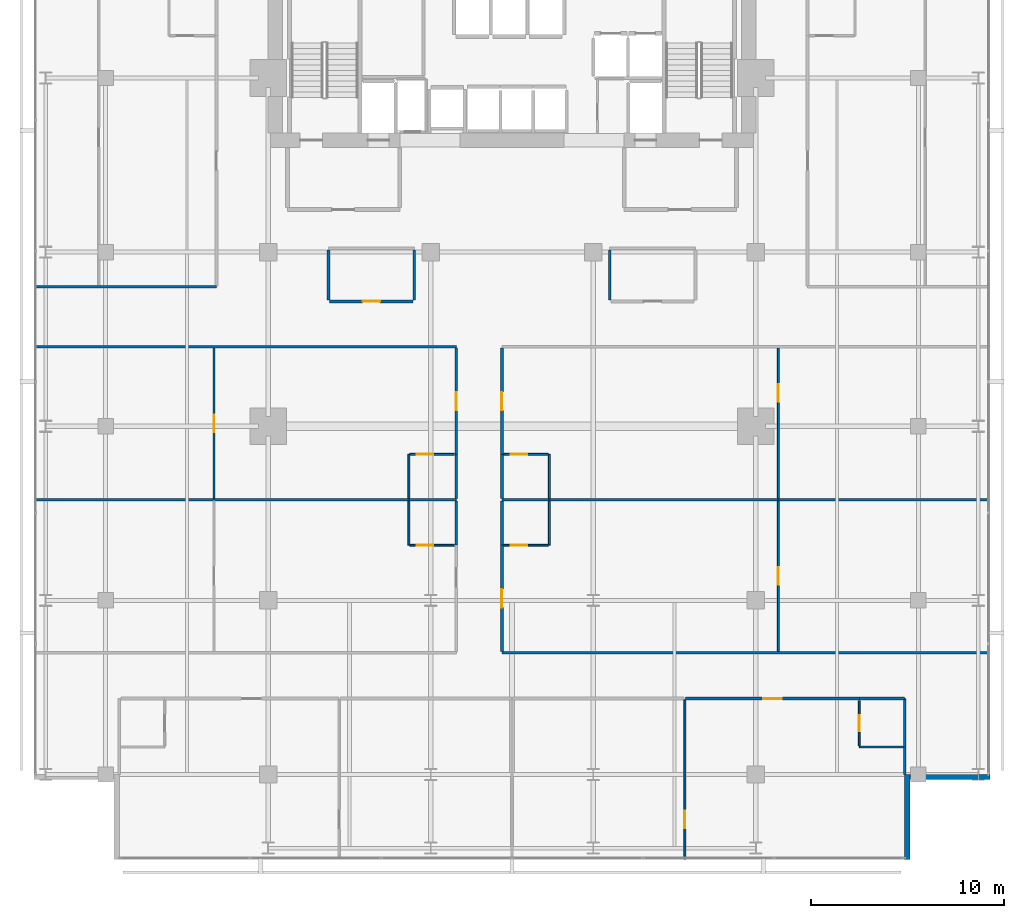
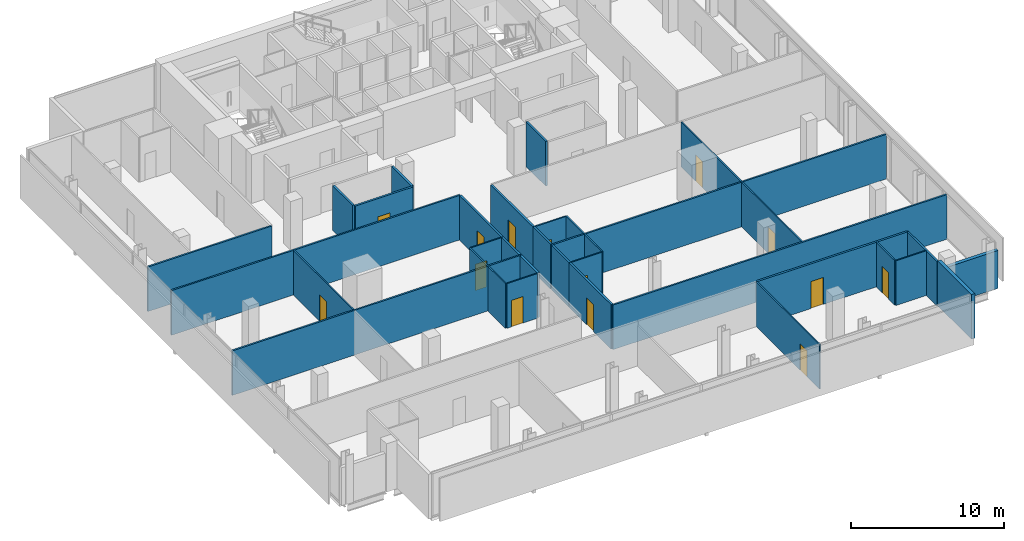
# One storey, part 27 of 32: 35 walls, 14 doors, 14 openings.
"""IFC4 building model written with IfcOpenShell, lengths in metres."""

from ifc_helpers import new_model, si_unit, direction, frame, frame_2d, origin, place, context, subcontext, project, spatial, rectangle, extrude, material, layer, layer_set, type_object, element, fill, save


model = new_model("IFC4")

# Units and contexts
model_context = context("Model", 3, precision=1e-05, world=origin(), true_north=direction((0.0, 1.0)))
body_context = subcontext(model_context, "Body", "Model", "MODEL_VIEW")
ifc_project = project(units=[si_unit("LENGTHUNIT", "METRE"), si_unit("AREAUNIT", "SQUARE_METRE"), si_unit("VOLUMEUNIT", "CUBIC_METRE"), si_unit("PLANEANGLEUNIT", "RADIAN"), si_unit("MASSUNIT", "GRAM", prefix="KILO")], contexts=[model_context])

# Site, building, storey
site_placement = place(None, origin())
site = spatial("IfcSite", under=ifc_project, at=site_placement, CompositionType="ELEMENT")
building_placement = place(site_placement, origin())
building = spatial("IfcBuilding", under=site, at=building_placement, Name="Maruvema Waterfront Hotel and Observation Tower", CompositionType="ELEMENT")
storey_placement = place(building_placement, frame((0.0, 0.0, 223.64990234375)))
storey = spatial("IfcBuildingStorey", under=building, at=storey_placement, Name="L55", CompositionType="ELEMENT", Elevation=223.64990234375)

# Walls
ifc_material_1 = material(Name="Twin-stud acoustic gypsum drywall", Category="gypsum")
ifc_layer_1 = layer(ifc_material_1, 0.14990234375, Name="Acoustic Corridor and Suite Demising Wall 150 mm")
ifc_layer_set_1 = layer_set([ifc_layer_1], Name="Twin-stud acoustic gypsum drywall")
wall_type_1 = type_object("IfcWallType", Name="Acoustic Corridor and Suite Demising Wall 150 mm", PredefinedType="PARTITIONING", material=ifc_layer_set_1)
for number, where, z_axis, x_axis, name in (
    (1, (28.320068359375, 33.530029296875, 0.0), (0.0, 0.0, 1.0), (0.0, 1.0, 0.0), "L55 L55-M1 West Wall 018"),
    (2, (32.75, 33.530029296875, 0.0), (0.0, 0.0, 1.0), (0.0, 1.0, 0.0), "L55 L55-M1 East Wall 019"),
):
    element("IfcWall", number, at=place(storey_placement, frame(where, z_axis=z_axis, x_axis=x_axis)), inside=storey, type_object=wall_type_1, Name=name, PredefinedType="PARTITIONING", context=body_context, shape_type="SweptSolid", body=[
        extrude(rectangle(XDim=2.590087890625, YDim=0.14990234375, at=frame_2d((1.294921875, 0.0))), origin(), (0.0, 0.0, 1.0), 3.550048828125),
    ])

# Wall, opening, door
wall_1_placement = place(storey_placement, frame((28.3798828125, 33.449951171875, 0.0), z_axis=(0.0, 0.0, 1.0), x_axis=(1.0, 0.0, 0.0)))
wall_1 = element("IfcWall", 3, at=wall_1_placement, inside=storey, type_object=wall_type_1, Name="L55 L55-M1 Front 1 020", PredefinedType="PARTITIONING", context=body_context, shape_type="SweptSolid", body=[
    extrude(rectangle(XDim=4.31005859375, YDim=0.14990234375, at=frame_2d((2.155029296875, 0.0))), origin(), (0.0, 0.0, 1.0), 3.550048828125),
])
opening_1_placement = place(wall_1_placement, frame((1.705078125, 0.0, 0.0)))
opening_1 = element("IfcOpeningElement", 4, at=opening_1_placement, cuts=wall_1, Name="Opening DR-090", PredefinedType="OPENING", context=body_context, shape_type="SweptSolid", body=[
    extrude(rectangle(XDim=0.89990234375, YDim=2.10009765625, at=frame_2d((0.449951171875, 1.050048828125))), frame((0.0, 0.0849609375, 0.0), z_axis=(0.0, -1.0, 0.0), x_axis=(1.0, 0.0, 0.0)), (0.0, 0.0, 1.0), 0.169921875),
])
ifc_material_2 = material(Name="Solid-core lacquered timber leaf", Category="wood")
door_type_1 = type_object("IfcDoorType", Name="Accessible Toilet and Room Door 900x2100 mm", OperationType="NOTDEFINED", PredefinedType="DOOR", material=ifc_material_2)
door_1_placement = place(opening_1_placement, frame((0.89990234375, 0.0, 0.0), z_axis=(0.0, 0.0, 1.0), x_axis=(-1.0, 0.0, 0.0)))
door_1 = element("IfcDoor", 5, at=door_1_placement, inside=storey, type_object=door_type_1, Name="L55 Ambassador Lounge 1 Door", OperationType="SINGLE_SWING_RIGHT", OverallHeight=2.10009765625, OverallWidth=0.89990234375, PredefinedType="DOOR", context=body_context, shape_type="SweptSolid", body=[
    extrude(rectangle(XDim=0.89990234375, YDim=2.10009765625, at=frame_2d((0.449951171875, 1.050048828125))), frame((0.0, 0.02490234375, 0.0), z_axis=(0.0, -1.0, 0.0), x_axis=(1.0, 0.0, 0.0)), (0.0, 0.0, 1.0), 0.050048828125),
])
fill(opening_1, door_1)

# Walls
wall_2_placement = place(storey_placement, frame((42.85009765625, 33.530029296875, 0.0), z_axis=(0.0, 0.0, 1.0), x_axis=(0.0, 1.0, 0.0)))
element("IfcWall", 6, at=wall_2_placement, inside=storey, type_object=wall_type_1, Name="L55 L55-M2 West Wall 022", PredefinedType="PARTITIONING", context=body_context, shape_type="SweptSolid", body=[
    extrude(rectangle(XDim=2.590087890625, YDim=0.14990234375, at=frame_2d((1.294921875, 0.0))), origin(), (0.0, 0.0, 1.0), 3.550048828125),
])
wall_3_placement = place(storey_placement, frame((55.75, 12.919921875, 0.0), z_axis=(0.0, 0.0, 1.0), x_axis=(1.0, 0.0, 0.0)))
element("IfcWall", 7, at=wall_3_placement, inside=storey, type_object=wall_type_1, Name="L55 Bath L55-S2 Back Wall 034", PredefinedType="PARTITIONING", context=body_context, shape_type="SweptSolid", body=[
    extrude(rectangle(XDim=2.330078125, YDim=0.14990234375, at=frame_2d((1.1650390625, 0.0))), origin(), (0.0, 0.0, 1.0), 3.550048828125),
])

# Wall, opening, door
wall_4_placement = place(storey_placement, frame((46.77197265625, 12.919921875, 0.0), z_axis=(0.0, 0.0, 1.0), x_axis=(1.0, 0.0, 0.0)))
wall_4 = element("IfcWall", 8, at=wall_4_placement, inside=storey, type_object=wall_type_1, Name="L55 Unit L55-S2 Corridor Wall 038", PredefinedType="PARTITIONING", context=body_context, shape_type="SweptSolid", body=[
    extrude(rectangle(XDim=8.97802734375, YDim=0.14990234375, at=frame_2d((4.489013671875, 0.0))), origin(), (0.0, 0.0, 1.0), 3.550048828125),
])
opening_2_placement = place(wall_4_placement, frame((4.013916015625, 0.0, 0.0)))
opening_2 = element("IfcOpeningElement", 9, at=opening_2_placement, cuts=wall_4, Name="Opening DR-095", PredefinedType="OPENING", context=body_context, shape_type="SweptSolid", body=[
    extrude(rectangle(XDim=0.949951171875, YDim=2.14990234375, at=frame_2d((0.47509765625, 1.074951171875))), frame((0.0, 0.0849609375, 0.0), z_axis=(0.0, -1.0, 0.0), x_axis=(1.0, 0.0, 0.0)), (0.0, 0.0, 1.0), 0.169921875),
])
ifc_material_3 = material(Name="Acoustic solid-core hardwood timber leaf", Category="wood")
door_type_2 = type_object("IfcDoorType", Name="Guestroom Entrance Fire Door 950x2150 mm", OperationType="NOTDEFINED", PredefinedType="DOOR", material=ifc_material_3)
door_2_placement = place(opening_2_placement, frame((0.949951171875, 0.0, 0.0), z_axis=(0.0, 0.0, 1.0), x_axis=(-1.0, 0.0, 0.0)))
door_2 = element("IfcDoor", 10, at=door_2_placement, inside=storey, type_object=door_type_2, Name="L55 Unit L55-S2 Entrance Door", OperationType="SINGLE_SWING_RIGHT", OverallHeight=2.14990234375, OverallWidth=0.949951171875, PredefinedType="DOOR", context=body_context, shape_type="SweptSolid", body=[
    extrude(rectangle(XDim=0.949951171875, YDim=2.14990234375, at=frame_2d((0.47509765625, 1.074951171875))), frame((0.0, 0.02490234375, 0.0), z_axis=(0.0, -1.0, 0.0), x_axis=(1.0, 0.0, 0.0)), (0.0, 0.0, 1.0), 0.050048828125),
])
fill(opening_2, door_2)

# Wall
wall_5_placement = place(storey_placement, frame((34.919921875, 20.85009765625, 0.0), z_axis=(0.0, 0.0, 1.0), x_axis=(0.0, 1.0, 0.0)))
element("IfcWall", 11, at=wall_5_placement, inside=storey, type_object=wall_type_1, Name="L55 Bath L55-W1 Wall 045", PredefinedType="PARTITIONING", context=body_context, shape_type="SweptSolid", body=[
    extrude(rectangle(XDim=2.289794921875, YDim=0.14990234375, at=frame_2d((1.14501953125, 0.0))), origin(), (0.0, 0.0, 1.0), 3.550048828125),
])

# Wall, opening, door
wall_6_placement = place(storey_placement, frame((37.280029296875, 15.360107421875, 0.0), z_axis=(0.0, 0.0, 1.0), x_axis=(0.0, 1.0, 0.0)))
wall_6 = element("IfcWall", 12, at=wall_6_placement, inside=storey, type_object=wall_type_1, Name="L55 Room L55-E1 Corridor Wall 049", PredefinedType="PARTITIONING", context=body_context, shape_type="SweptSolid", body=[
    extrude(rectangle(XDim=5.489990234375, YDim=0.14990234375, at=frame_2d((2.7451171875, 0.0))), origin(), (0.0, 0.0, 1.0), 3.550048828125),
])
opening_3_placement = place(wall_6_placement, frame((2.27001953125, 0.0, 0.0)))
opening_3 = element("IfcOpeningElement", 13, at=opening_3_placement, cuts=wall_6, Name="Opening DR-095", PredefinedType="OPENING", context=body_context, shape_type="SweptSolid", body=[
    extrude(rectangle(XDim=0.949951171875, YDim=2.14990234375, at=frame_2d((0.47509765625, 1.074951171875))), frame((0.0, 0.0849609375, 0.0), z_axis=(0.0, -1.0, 0.0), x_axis=(1.0, 0.0, 0.0)), (0.0, 0.0, 1.0), 0.169921875),
])
door_3_placement = place(opening_3_placement, frame((0.949951171875, 0.0, 0.0), z_axis=(0.0, 0.0, 1.0), x_axis=(-1.0, 0.0, 0.0)))
door_3 = element("IfcDoor", 14, at=door_3_placement, inside=storey, type_object=door_type_2, Name="L55 Room L55-E1 Entrance Door", OperationType="SINGLE_SWING_RIGHT", OverallHeight=2.14990234375, OverallWidth=0.949951171875, PredefinedType="DOOR", context=body_context, shape_type="SweptSolid", body=[
    extrude(rectangle(XDim=0.949951171875, YDim=2.14990234375, at=frame_2d((0.47509765625, 1.074951171875))), frame((0.0, 0.02490234375, 0.0), z_axis=(0.0, -1.0, 0.0), x_axis=(1.0, 0.0, 0.0)), (0.0, 0.0, 1.0), 0.050048828125),
])
fill(opening_3, door_3)

# Walls
wall_7_placement = place(storey_placement, frame((37.280029296875, 20.85009765625, 0.0), z_axis=(0.0, 0.0, 1.0), x_axis=(0.0, 1.0, 0.0)))
element("IfcWall", 15, at=wall_7_placement, inside=storey, type_object=wall_type_1, Name="L55 Bath L55-E1 Wall 050", PredefinedType="PARTITIONING", context=body_context, shape_type="SweptSolid", body=[
    extrude(rectangle(XDim=2.289794921875, YDim=0.14990234375, at=frame_2d((1.14501953125, 0.0))), origin(), (0.0, 0.0, 1.0), 3.550048828125),
])
wall_8_placement = place(storey_placement, frame((34.919921875, 23.260009765625, 0.0), z_axis=(0.0, 0.0, 1.0), x_axis=(0.0, 1.0, 0.0)))
element("IfcWall", 16, at=wall_8_placement, inside=storey, type_object=wall_type_1, Name="L55 Bath L55-W2 Wall 056", PredefinedType="PARTITIONING", context=body_context, shape_type="SweptSolid", body=[
    extrude(rectangle(XDim=2.2900390625, YDim=0.14990234375, at=frame_2d((1.14501953125, 0.0))), origin(), (0.0, 0.0, 1.0), 3.550048828125),
])

# Wall, opening, door
wall_9_placement = place(storey_placement, frame((34.919921875, 25.550048828125, 0.0), z_axis=(0.0, 0.0, 1.0), x_axis=(0.0, 1.0, 0.0)))
wall_9 = element("IfcWall", 17, at=wall_9_placement, inside=storey, type_object=wall_type_1, Name="L55 Room L55-W2 Corridor Wall 057", PredefinedType="PARTITIONING", context=body_context, shape_type="SweptSolid", body=[
    extrude(rectangle(XDim=5.489990234375, YDim=0.14990234375, at=frame_2d((2.7451171875, 0.0))), origin(), (0.0, 0.0, 1.0), 3.550048828125),
])
opening_4_placement = place(wall_9_placement, frame((2.27001953125, 0.0, 0.0)))
opening_4 = element("IfcOpeningElement", 18, at=opening_4_placement, cuts=wall_9, Name="Opening DR-095", PredefinedType="OPENING", context=body_context, shape_type="SweptSolid", body=[
    extrude(rectangle(XDim=0.949951171875, YDim=2.14990234375, at=frame_2d((0.47509765625, 1.074951171875))), frame((0.0, 0.0849609375, 0.0), z_axis=(0.0, -1.0, 0.0), x_axis=(1.0, 0.0, 0.0)), (0.0, 0.0, 1.0), 0.169921875),
])
door_4_placement = place(opening_4_placement, origin())
door_4 = element("IfcDoor", 19, at=door_4_placement, inside=storey, type_object=door_type_2, Name="L55 Room L55-W2 Entrance Door", OperationType="SINGLE_SWING_LEFT", OverallHeight=2.14990234375, OverallWidth=0.949951171875, PredefinedType="DOOR", context=body_context, shape_type="SweptSolid", body=[
    extrude(rectangle(XDim=0.949951171875, YDim=2.14990234375, at=frame_2d((0.47509765625, 1.074951171875))), frame((0.0, 0.02490234375, 0.0), z_axis=(0.0, -1.0, 0.0), x_axis=(1.0, 0.0, 0.0)), (0.0, 0.0, 1.0), 0.050048828125),
])
fill(opening_4, door_4)

# Wall
wall_10_placement = place(storey_placement, frame((37.280029296875, 23.260009765625, 0.0), z_axis=(0.0, 0.0, 1.0), x_axis=(0.0, 1.0, 0.0)))
element("IfcWall", 20, at=wall_10_placement, inside=storey, type_object=wall_type_1, Name="L55 Bath L55-E2 Wall 061", PredefinedType="PARTITIONING", context=body_context, shape_type="SweptSolid", body=[
    extrude(rectangle(XDim=2.2900390625, YDim=0.14990234375, at=frame_2d((1.14501953125, 0.0))), origin(), (0.0, 0.0, 1.0), 3.550048828125),
])

# Wall, opening, door
wall_11_placement = place(storey_placement, frame((37.280029296875, 25.550048828125, 0.0), z_axis=(0.0, 0.0, 1.0), x_axis=(0.0, 1.0, 0.0)))
wall_11 = element("IfcWall", 21, at=wall_11_placement, inside=storey, type_object=wall_type_1, Name="L55 Room L55-E2 Corridor Wall 062", PredefinedType="PARTITIONING", context=body_context, shape_type="SweptSolid", body=[
    extrude(rectangle(XDim=5.489990234375, YDim=0.14990234375, at=frame_2d((2.7451171875, 0.0))), origin(), (0.0, 0.0, 1.0), 3.550048828125),
])
opening_5_placement = place(wall_11_placement, frame((2.27001953125, 0.0, 0.0)))
opening_5 = element("IfcOpeningElement", 22, at=opening_5_placement, cuts=wall_11, Name="Opening DR-095", PredefinedType="OPENING", context=body_context, shape_type="SweptSolid", body=[
    extrude(rectangle(XDim=0.949951171875, YDim=2.14990234375, at=frame_2d((0.47509765625, 1.074951171875))), frame((0.0, 0.0849609375, 0.0), z_axis=(0.0, -1.0, 0.0), x_axis=(1.0, 0.0, 0.0)), (0.0, 0.0, 1.0), 0.169921875),
])
door_5_placement = place(opening_5_placement, frame((0.949951171875, 0.0, 0.0), z_axis=(0.0, 0.0, 1.0), x_axis=(-1.0, 0.0, 0.0)))
door_5 = element("IfcDoor", 23, at=door_5_placement, inside=storey, type_object=door_type_2, Name="L55 Room L55-E2 Entrance Door", OperationType="SINGLE_SWING_RIGHT", OverallHeight=2.14990234375, OverallWidth=0.949951171875, PredefinedType="DOOR", context=body_context, shape_type="SweptSolid", body=[
    extrude(rectangle(XDim=0.949951171875, YDim=2.14990234375, at=frame_2d((0.47509765625, 1.074951171875))), frame((0.0, 0.02490234375, 0.0), z_axis=(0.0, -1.0, 0.0), x_axis=(1.0, 0.0, 0.0)), (0.0, 0.0, 1.0), 0.050048828125),
])
fill(opening_5, door_5)

# Wall
ifc_material_4 = material(Name="Moisture-resistant cement-board drywall", Category="gypsum")
ifc_layer_2 = layer(ifc_material_4, 0.10009765625, Name="En-Suite Moisture-Resistant Partition 100 mm")
ifc_layer_set_2 = layer_set([ifc_layer_2], Name="Moisture-resistant cement-board drywall")
wall_type_2 = type_object("IfcWallType", Name="En-Suite Moisture-Resistant Partition 100 mm", PredefinedType="PARTITIONING", material=ifc_layer_set_2)
wall_12_placement = place(storey_placement, frame((55.75, 10.419921875, 0.0), z_axis=(0.0, 0.0, 1.0), x_axis=(1.0, 0.0, 0.0)))
element("IfcWall", 24, at=wall_12_placement, inside=storey, type_object=wall_type_2, Name="L55 En-Suite L55-S2 South 035", PredefinedType="PARTITIONING", context=body_context, shape_type="SweptSolid", body=[
    extrude(rectangle(XDim=2.31005859375, YDim=0.10009765625, at=frame_2d((1.155029296875, 0.0))), origin(), (0.0, 0.0, 1.0), 3.550048828125),
])

# Wall, opening, door
wall_13_placement = place(storey_placement, frame((55.75, 10.47998046875, 0.0), z_axis=(0.0, 0.0, 1.0), x_axis=(0.0, 1.0, 0.0)))
wall_13 = element("IfcWall", 25, at=wall_13_placement, inside=storey, type_object=wall_type_2, Name="L55 En-Suite L55-S2 West 036", PredefinedType="PARTITIONING", context=body_context, shape_type="SweptSolid", body=[
    extrude(rectangle(XDim=2.340087890625, YDim=0.10009765625, at=frame_2d((1.169921875, 0.0))), origin(), (0.0, 0.0, 1.0), 3.550048828125),
])
opening_6_placement = place(wall_13_placement, frame((0.7451171875, 0.0, 0.0)))
opening_6 = element("IfcOpeningElement", 26, at=opening_6_placement, cuts=wall_13, Name="Opening DR-085", PredefinedType="OPENING", context=body_context, shape_type="SweptSolid", body=[
    extrude(rectangle(XDim=0.85009765625, YDim=2.10009765625, at=frame_2d((0.425048828125, 1.050048828125))), frame((0.0, 0.06005859375, 0.0), z_axis=(0.0, -1.0, 0.0), x_axis=(1.0, 0.0, 0.0)), (0.0, 0.0, 1.0), 0.1201171875),
])
ifc_material_5 = material(Name="Moisture-resistant solid timber leaf", Category="wood")
door_type_3 = type_object("IfcDoorType", Name="En-Suite Bathroom Door 850x2100 mm", OperationType="NOTDEFINED", PredefinedType="DOOR", material=ifc_material_5)
door_6_placement = place(opening_6_placement, origin())
door_6 = element("IfcDoor", 27, at=door_6_placement, inside=storey, type_object=door_type_3, Name="L55 En-Suite L55-S2 Door", OperationType="SINGLE_SWING_LEFT", OverallHeight=2.10009765625, OverallWidth=0.85009765625, PredefinedType="DOOR", context=body_context, shape_type="SweptSolid", body=[
    extrude(rectangle(XDim=0.85009765625, YDim=2.10009765625, at=frame_2d((0.425048828125, 1.050048828125))), frame((0.0, 0.02490234375, 0.0), z_axis=(0.0, -1.0, 0.0), x_axis=(1.0, 0.0, 0.0)), (0.0, 0.0, 1.0), 0.050048828125),
])
fill(opening_6, door_6)

wall_14_placement = place(storey_placement, frame((46.73193359375, 4.6298828125, 0.0), z_axis=(0.0, 0.0, 1.0), x_axis=(0.0, 1.0, 0.0)))
wall_14 = element("IfcWall", 28, at=wall_14_placement, inside=storey, type_object=wall_type_2, Name="L55 Suite L55-S2 Split 039", PredefinedType="PARTITIONING", context=body_context, shape_type="SweptSolid", body=[
    extrude(rectangle(XDim=8.230224609375, YDim=0.10009765625, at=frame_2d((4.115234375, 0.0))), origin(), (0.0, 0.0, 1.0), 3.550048828125),
])
opening_7_placement = place(wall_14_placement, frame((1.60009765625, 0.0, 0.0)))
opening_7 = element("IfcOpeningElement", 29, at=opening_7_placement, cuts=wall_14, Name="Opening DR-090", PredefinedType="OPENING", context=body_context, shape_type="SweptSolid", body=[
    extrude(rectangle(XDim=0.89990234375, YDim=2.10009765625, at=frame_2d((0.449951171875, 1.050048828125))), frame((0.0, 0.06005859375, 0.0), z_axis=(0.0, -1.0, 0.0), x_axis=(1.0, 0.0, 0.0)), (0.0, 0.0, 1.0), 0.1201171875),
])
door_7_placement = place(opening_7_placement, frame((0.89990234375, 0.0, 0.0), z_axis=(0.0, 0.0, 1.0), x_axis=(-1.0, 0.0, 0.0)))
door_7 = element("IfcDoor", 30, at=door_7_placement, inside=storey, type_object=door_type_1, Name="L55 Suite L55-S2 Bedroom Door", OperationType="SINGLE_SWING_LEFT", OverallHeight=2.10009765625, OverallWidth=0.89990234375, PredefinedType="DOOR", context=body_context, shape_type="SweptSolid", body=[
    extrude(rectangle(XDim=0.89990234375, YDim=2.10009765625, at=frame_2d((0.449951171875, 1.050048828125))), frame((0.0, 0.02490234375, 0.0), z_axis=(0.0, -1.0, 0.0), x_axis=(1.0, 0.0, 0.0)), (0.0, 0.0, 1.0), 0.050048828125),
])
fill(opening_7, door_7)

# Wall
wall_15_placement = place(storey_placement, frame((32.469970703125, 20.85009765625, 0.0), z_axis=(0.0, 0.0, 1.0), x_axis=(0.0, 1.0, 0.0)))
element("IfcWall", 31, at=wall_15_placement, inside=storey, type_object=wall_type_2, Name="L55 En-Suite L55-W1 W 046", PredefinedType="PARTITIONING", context=body_context, shape_type="SweptSolid", body=[
    extrude(rectangle(XDim=2.289794921875, YDim=0.10009765625, at=frame_2d((1.14501953125, 0.0))), origin(), (0.0, 0.0, 1.0), 3.550048828125),
])

# Wall, opening, door
wall_16_placement = place(storey_placement, frame((32.52001953125, 20.85009765625, 0.0), z_axis=(0.0, 0.0, 1.0), x_axis=(1.0, 0.0, 0.0)))
wall_16 = element("IfcWall", 32, at=wall_16_placement, inside=storey, type_object=wall_type_2, Name="L55 En-Suite L55-W1 S 047", PredefinedType="PARTITIONING", context=body_context, shape_type="SweptSolid", body=[
    extrude(rectangle(XDim=2.300048828125, YDim=0.10009765625, at=frame_2d((1.14990234375, 0.0))), origin(), (0.0, 0.0, 1.0), 3.550048828125),
])
opening_8_placement = place(wall_16_placement, frame((0.35009765625, 0.0, 0.0)))
opening_8 = element("IfcOpeningElement", 33, at=opening_8_placement, cuts=wall_16, Name="Opening DR-085", PredefinedType="OPENING", context=body_context, shape_type="SweptSolid", body=[
    extrude(rectangle(XDim=0.85009765625, YDim=2.10009765625, at=frame_2d((0.425048828125, 1.050048828125))), frame((0.0, 0.06005859375, 0.0), z_axis=(0.0, -1.0, 0.0), x_axis=(1.0, 0.0, 0.0)), (0.0, 0.0, 1.0), 0.1201171875),
])
door_8_placement = place(opening_8_placement, frame((0.85009765625, 0.0, 0.0), z_axis=(0.0, 0.0, 1.0), x_axis=(-1.0, 0.0, 0.0)))
door_8 = element("IfcDoor", 34, at=door_8_placement, inside=storey, type_object=door_type_3, Name="L55 En-Suite L55-W1 Door", OperationType="SINGLE_SWING_RIGHT", OverallHeight=2.10009765625, OverallWidth=0.85009765625, PredefinedType="DOOR", context=body_context, shape_type="SweptSolid", body=[
    extrude(rectangle(XDim=0.85009765625, YDim=2.10009765625, at=frame_2d((0.425048828125, 1.050048828125))), frame((0.0, 0.02490234375, 0.0), z_axis=(0.0, -1.0, 0.0), x_axis=(1.0, 0.0, 0.0)), (0.0, 0.0, 1.0), 0.050048828125),
])
fill(opening_8, door_8)

# Wall
wall_17_placement = place(storey_placement, frame((39.72998046875, 20.85009765625, 0.0), z_axis=(0.0, 0.0, 1.0), x_axis=(0.0, 1.0, 0.0)))
element("IfcWall", 35, at=wall_17_placement, inside=storey, type_object=wall_type_2, Name="L55 En-Suite L55-E1 E 051", PredefinedType="PARTITIONING", context=body_context, shape_type="SweptSolid", body=[
    extrude(rectangle(XDim=2.289794921875, YDim=0.10009765625, at=frame_2d((1.14501953125, 0.0))), origin(), (0.0, 0.0, 1.0), 3.550048828125),
])

# Wall, opening, door
wall_18_placement = place(storey_placement, frame((37.3798828125, 20.85009765625, 0.0), z_axis=(0.0, 0.0, 1.0), x_axis=(1.0, 0.0, 0.0)))
wall_18 = element("IfcWall", 36, at=wall_18_placement, inside=storey, type_object=wall_type_2, Name="L55 En-Suite L55-E1 S 052", PredefinedType="PARTITIONING", context=body_context, shape_type="SweptSolid", body=[
    extrude(rectangle(XDim=2.300048828125, YDim=0.10009765625, at=frame_2d((1.14990234375, 0.0))), origin(), (0.0, 0.0, 1.0), 3.550048828125),
])
opening_9_placement = place(wall_18_placement, frame((0.35009765625, 0.0, 0.0)))
opening_9 = element("IfcOpeningElement", 37, at=opening_9_placement, cuts=wall_18, Name="Opening DR-085", PredefinedType="OPENING", context=body_context, shape_type="SweptSolid", body=[
    extrude(rectangle(XDim=0.85009765625, YDim=2.10009765625, at=frame_2d((0.425048828125, 1.050048828125))), frame((0.0, 0.06005859375, 0.0), z_axis=(0.0, -1.0, 0.0), x_axis=(1.0, 0.0, 0.0)), (0.0, 0.0, 1.0), 0.1201171875),
])
door_9_placement = place(opening_9_placement, frame((0.85009765625, 0.0, 0.0), z_axis=(0.0, 0.0, 1.0), x_axis=(-1.0, 0.0, 0.0)))
door_9 = element("IfcDoor", 38, at=door_9_placement, inside=storey, type_object=door_type_3, Name="L55 En-Suite L55-E1 Door", OperationType="SINGLE_SWING_LEFT", OverallHeight=2.10009765625, OverallWidth=0.85009765625, PredefinedType="DOOR", context=body_context, shape_type="SweptSolid", body=[
    extrude(rectangle(XDim=0.85009765625, YDim=2.10009765625, at=frame_2d((0.425048828125, 1.050048828125))), frame((0.0, 0.02490234375, 0.0), z_axis=(0.0, -1.0, 0.0), x_axis=(1.0, 0.0, 0.0)), (0.0, 0.0, 1.0), 0.050048828125),
])
fill(opening_9, door_9)

wall_19_placement = place(storey_placement, frame((51.5703125, 15.360107421875, 0.0), z_axis=(0.0, 0.0, 1.0), x_axis=(0.0, 1.0, 0.0)))
wall_19 = element("IfcWall", 39, at=wall_19_placement, inside=storey, type_object=wall_type_2, Name="L55 Suite L55-E1 Split 053", PredefinedType="PARTITIONING", context=body_context, shape_type="SweptSolid", body=[
    extrude(rectangle(XDim=7.77978515625, YDim=0.10009765625, at=frame_2d((3.889892578125, 0.0))), origin(), (0.0, 0.0, 1.0), 3.550048828125),
])
opening_10_placement = place(wall_19_placement, frame((3.43994140625, 0.0, 0.0)))
opening_10 = element("IfcOpeningElement", 40, at=opening_10_placement, cuts=wall_19, Name="Opening DR-090", PredefinedType="OPENING", context=body_context, shape_type="SweptSolid", body=[
    extrude(rectangle(XDim=0.89990234375, YDim=2.10009765625, at=frame_2d((0.449951171875, 1.050048828125))), frame((0.0, 0.06005859375, 0.0), z_axis=(0.0, -1.0, 0.0), x_axis=(1.0, 0.0, 0.0)), (0.0, 0.0, 1.0), 0.1201171875),
])
door_10_placement = place(opening_10_placement, frame((0.89990234375, 0.0, 0.0), z_axis=(0.0, 0.0, 1.0), x_axis=(-1.0, 0.0, 0.0)))
door_10 = element("IfcDoor", 41, at=door_10_placement, inside=storey, type_object=door_type_1, Name="L55 Suite L55-E1 Bedroom Door", OperationType="SINGLE_SWING_LEFT", OverallHeight=2.10009765625, OverallWidth=0.89990234375, PredefinedType="DOOR", context=body_context, shape_type="SweptSolid", body=[
    extrude(rectangle(XDim=0.89990234375, YDim=2.10009765625, at=frame_2d((0.449951171875, 1.050048828125))), frame((0.0, 0.02490234375, 0.0), z_axis=(0.0, -1.0, 0.0), x_axis=(1.0, 0.0, 0.0)), (0.0, 0.0, 1.0), 0.050048828125),
])
fill(opening_10, door_10)

# Wall
wall_20_placement = place(storey_placement, frame((32.469970703125, 23.260009765625, 0.0), z_axis=(0.0, 0.0, 1.0), x_axis=(0.0, 1.0, 0.0)))
element("IfcWall", 42, at=wall_20_placement, inside=storey, type_object=wall_type_2, Name="L55 En-Suite L55-W2 W 058", PredefinedType="PARTITIONING", context=body_context, shape_type="SweptSolid", body=[
    extrude(rectangle(XDim=2.2900390625, YDim=0.10009765625, at=frame_2d((1.14501953125, 0.0))), origin(), (0.0, 0.0, 1.0), 3.550048828125),
])

# Wall, opening, door
wall_21_placement = place(storey_placement, frame((32.52001953125, 25.550048828125, 0.0), z_axis=(0.0, 0.0, 1.0), x_axis=(1.0, 0.0, 0.0)))
wall_21 = element("IfcWall", 43, at=wall_21_placement, inside=storey, type_object=wall_type_2, Name="L55 En-Suite L55-W2 N 059", PredefinedType="PARTITIONING", context=body_context, shape_type="SweptSolid", body=[
    extrude(rectangle(XDim=2.300048828125, YDim=0.10009765625, at=frame_2d((1.14990234375, 0.0))), origin(), (0.0, 0.0, 1.0), 3.550048828125),
])
opening_11_placement = place(wall_21_placement, frame((0.35009765625, 0.0, 0.0)))
opening_11 = element("IfcOpeningElement", 44, at=opening_11_placement, cuts=wall_21, Name="Opening DR-085", PredefinedType="OPENING", context=body_context, shape_type="SweptSolid", body=[
    extrude(rectangle(XDim=0.85009765625, YDim=2.10009765625, at=frame_2d((0.425048828125, 1.050048828125))), frame((0.0, 0.06005859375, 0.0), z_axis=(0.0, -1.0, 0.0), x_axis=(1.0, 0.0, 0.0)), (0.0, 0.0, 1.0), 0.1201171875),
])
door_11_placement = place(opening_11_placement, origin())
door_11 = element("IfcDoor", 45, at=door_11_placement, inside=storey, type_object=door_type_3, Name="L55 En-Suite L55-W2 Door", OperationType="SINGLE_SWING_RIGHT", OverallHeight=2.10009765625, OverallWidth=0.85009765625, PredefinedType="DOOR", context=body_context, shape_type="SweptSolid", body=[
    extrude(rectangle(XDim=0.85009765625, YDim=2.10009765625, at=frame_2d((0.425048828125, 1.050048828125))), frame((0.0, 0.02490234375, 0.0), z_axis=(0.0, -1.0, 0.0), x_axis=(1.0, 0.0, 0.0)), (0.0, 0.0, 1.0), 0.050048828125),
])
fill(opening_11, door_11)

wall_22_placement = place(storey_placement, frame((22.397705078125, 23.260009765625, 0.0), z_axis=(0.0, 0.0, 1.0), x_axis=(0.0, 1.0, 0.0)))
wall_22 = element("IfcWall", 46, at=wall_22_placement, inside=storey, type_object=wall_type_2, Name="L55 Suite L55-W2 Split 060", PredefinedType="PARTITIONING", context=body_context, shape_type="SweptSolid", body=[
    extrude(rectangle(XDim=7.780029296875, YDim=0.10009765625, at=frame_2d((3.89013671875, 0.0))), origin(), (0.0, 0.0, 1.0), 3.550048828125),
])
opening_12_placement = place(wall_22_placement, frame((3.43994140625, 0.0, 0.0)))
opening_12 = element("IfcOpeningElement", 47, at=opening_12_placement, cuts=wall_22, Name="Opening DR-090", PredefinedType="OPENING", context=body_context, shape_type="SweptSolid", body=[
    extrude(rectangle(XDim=0.89990234375, YDim=2.10009765625, at=frame_2d((0.449951171875, 1.050048828125))), frame((0.0, 0.06005859375, 0.0), z_axis=(0.0, -1.0, 0.0), x_axis=(1.0, 0.0, 0.0)), (0.0, 0.0, 1.0), 0.1201171875),
])
door_12_placement = place(opening_12_placement, origin())
door_12 = element("IfcDoor", 48, at=door_12_placement, inside=storey, type_object=door_type_1, Name="L55 Suite L55-W2 Bedroom Door", OperationType="SINGLE_SWING_RIGHT", OverallHeight=2.10009765625, OverallWidth=0.89990234375, PredefinedType="DOOR", context=body_context, shape_type="SweptSolid", body=[
    extrude(rectangle(XDim=0.89990234375, YDim=2.10009765625, at=frame_2d((0.449951171875, 1.050048828125))), frame((0.0, 0.02490234375, 0.0), z_axis=(0.0, -1.0, 0.0), x_axis=(1.0, 0.0, 0.0)), (0.0, 0.0, 1.0), 0.050048828125),
])
fill(opening_12, door_12)

# Wall
wall_23_placement = place(storey_placement, frame((39.72998046875, 23.260009765625, 0.0), z_axis=(0.0, 0.0, 1.0), x_axis=(0.0, 1.0, 0.0)))
element("IfcWall", 49, at=wall_23_placement, inside=storey, type_object=wall_type_2, Name="L55 En-Suite L55-E2 E 063", PredefinedType="PARTITIONING", context=body_context, shape_type="SweptSolid", body=[
    extrude(rectangle(XDim=2.2900390625, YDim=0.10009765625, at=frame_2d((1.14501953125, 0.0))), origin(), (0.0, 0.0, 1.0), 3.550048828125),
])

# Wall, opening, door
wall_24_placement = place(storey_placement, frame((37.3798828125, 25.550048828125, 0.0), z_axis=(0.0, 0.0, 1.0), x_axis=(1.0, 0.0, 0.0)))
wall_24 = element("IfcWall", 50, at=wall_24_placement, inside=storey, type_object=wall_type_2, Name="L55 En-Suite L55-E2 N 064", PredefinedType="PARTITIONING", context=body_context, shape_type="SweptSolid", body=[
    extrude(rectangle(XDim=2.300048828125, YDim=0.10009765625, at=frame_2d((1.14990234375, 0.0))), origin(), (0.0, 0.0, 1.0), 3.550048828125),
])
opening_13_placement = place(wall_24_placement, frame((0.35009765625, 0.0, 0.0)))
opening_13 = element("IfcOpeningElement", 51, at=opening_13_placement, cuts=wall_24, Name="Opening DR-085", PredefinedType="OPENING", context=body_context, shape_type="SweptSolid", body=[
    extrude(rectangle(XDim=0.85009765625, YDim=2.10009765625, at=frame_2d((0.425048828125, 1.050048828125))), frame((0.0, 0.06005859375, 0.0), z_axis=(0.0, -1.0, 0.0), x_axis=(1.0, 0.0, 0.0)), (0.0, 0.0, 1.0), 0.1201171875),
])
door_13_placement = place(opening_13_placement, origin())
door_13 = element("IfcDoor", 52, at=door_13_placement, inside=storey, type_object=door_type_3, Name="L55 En-Suite L55-E2 Door", OperationType="SINGLE_SWING_LEFT", OverallHeight=2.10009765625, OverallWidth=0.85009765625, PredefinedType="DOOR", context=body_context, shape_type="SweptSolid", body=[
    extrude(rectangle(XDim=0.85009765625, YDim=2.10009765625, at=frame_2d((0.425048828125, 1.050048828125))), frame((0.0, 0.02490234375, 0.0), z_axis=(0.0, -1.0, 0.0), x_axis=(1.0, 0.0, 0.0)), (0.0, 0.0, 1.0), 0.050048828125),
])
fill(opening_13, door_13)

wall_25_placement = place(storey_placement, frame((51.5703125, 23.260009765625, 0.0), z_axis=(0.0, 0.0, 1.0), x_axis=(0.0, 1.0, 0.0)))
wall_25 = element("IfcWall", 53, at=wall_25_placement, inside=storey, type_object=wall_type_2, Name="L55 Suite L55-E2 Split 065", PredefinedType="PARTITIONING", context=body_context, shape_type="SweptSolid", body=[
    extrude(rectangle(XDim=7.780029296875, YDim=0.10009765625, at=frame_2d((3.89013671875, 0.0))), origin(), (0.0, 0.0, 1.0), 3.550048828125),
])
opening_14_placement = place(wall_25_placement, frame((5.0, 0.0, 0.0)))
opening_14 = element("IfcOpeningElement", 54, at=opening_14_placement, cuts=wall_25, Name="Opening DR-090", PredefinedType="OPENING", context=body_context, shape_type="SweptSolid", body=[
    extrude(rectangle(XDim=0.89990234375, YDim=2.10009765625, at=frame_2d((0.449951171875, 1.050048828125))), frame((0.0, 0.06005859375, 0.0), z_axis=(0.0, -1.0, 0.0), x_axis=(1.0, 0.0, 0.0)), (0.0, 0.0, 1.0), 0.1201171875),
])
door_14_placement = place(opening_14_placement, frame((0.89990234375, 0.0, 0.0), z_axis=(0.0, 0.0, 1.0), x_axis=(-1.0, 0.0, 0.0)))
door_14 = element("IfcDoor", 55, at=door_14_placement, inside=storey, type_object=door_type_1, Name="L55 Suite L55-E2 Bedroom Door", OperationType="SINGLE_SWING_LEFT", OverallHeight=2.10009765625, OverallWidth=0.89990234375, PredefinedType="DOOR", context=body_context, shape_type="SweptSolid", body=[
    extrude(rectangle(XDim=0.89990234375, YDim=2.10009765625, at=frame_2d((0.449951171875, 1.050048828125))), frame((0.0, 0.02490234375, 0.0), z_axis=(0.0, -1.0, 0.0), x_axis=(1.0, 0.0, 0.0)), (0.0, 0.0, 1.0), 0.050048828125),
])
fill(opening_14, door_14)

# Walls
ifc_material_6 = material(Name="Precast concrete C45/55 with honed Pernambuco granite facing", Category="masonry")
ifc_layer_3 = layer(ifc_material_6, 0.260009765625, Name="Exterior Granite Clad Spandrel and Pier Wall 260 mm")
ifc_layer_set_3 = layer_set([ifc_layer_3], Name="Precast concrete C45/55 with honed Pernambuco granite facing")
wall_type_3 = type_object("IfcWallType", Name="Exterior Granite Clad Spandrel and Pier Wall 260 mm", PredefinedType="SOLIDWALL", material=ifc_layer_set_3)
wall_26_placement = place(storey_placement, frame((58.22998046875, 9.0, 0.0), z_axis=(0.0, 0.0, 1.0), x_axis=(0.0, -1.0, 0.0)))
element("IfcWall", 56, at=wall_26_placement, inside=storey, type_object=wall_type_3, Name="L55 Corner Notch Granite Pier Wall SE1", PredefinedType="SOLIDWALL", context=body_context, shape_type="SweptSolid", body=[
    extrude(rectangle(XDim=4.39990234375, YDim=0.260009765625, at=frame_2d((2.199951171875, 0.0))), origin(), (0.0, 0.0, 1.0), 3.550048828125),
])
wall_27_placement = place(storey_placement, frame((62.5, 8.8701171875, 0.0), z_axis=(0.0, 0.0, 1.0), x_axis=(-1.0, 0.0, 0.0)))
element("IfcWall", 57, at=wall_27_placement, inside=storey, type_object=wall_type_3, Name="L55 Corner Notch Granite Pier Wall SE2", PredefinedType="SOLIDWALL", context=body_context, shape_type="SweptSolid", body=[
    extrude(rectangle(XDim=4.39990234375, YDim=0.260009765625, at=frame_2d((2.199951171875, 0.0))), origin(), (0.0, 0.0, 1.0), 3.010986328125),
])
ifc_material_7 = material(Name="Acoustic gypsum plasterboard drywall", Category="gypsum")
ifc_layer_4 = layer(ifc_material_7, 0.125, Name="Guestroom Acoustic Demising Wall 125 mm")
ifc_layer_set_4 = layer_set([ifc_layer_4], Name="Acoustic gypsum plasterboard drywall")
wall_type_4 = type_object("IfcWallType", Name="Guestroom Acoustic Demising Wall 125 mm", PredefinedType="PARTITIONING", material=ifc_layer_set_4)
wall_28_placement = place(storey_placement, frame((58.10009765625, 9.0, 0.0), z_axis=(0.0, 0.0, 1.0), x_axis=(0.0, 1.0, 0.0)))
element("IfcWall", 58, at=wall_28_placement, inside=storey, type_object=wall_type_4, Name="L55 Z2 S East End 026", PredefinedType="PARTITIONING", context=body_context, shape_type="SweptSolid", body=[
    extrude(rectangle(XDim=3.919921875, YDim=0.125, at=frame_2d((1.9599609375, 0.0))), origin(), (0.0, 0.0, 1.0), 3.550048828125),
])
wall_29_placement = place(storey_placement, frame((37.280029296875, 15.300048828125, 0.0), z_axis=(0.0, 0.0, 1.0), x_axis=(1.0, 0.0, 0.0)))
element("IfcWall", 59, at=wall_29_placement, inside=storey, type_object=wall_type_4, Name="L55 Z2 E Bot End 041", PredefinedType="PARTITIONING", context=body_context, shape_type="SweptSolid", body=[
    extrude(rectangle(XDim=25.119873046875, YDim=0.125, at=frame_2d((12.56005859375, 0.0))), origin(), (0.0, 0.0, 1.0), 3.550048828125),
])
for number, where, z_axis, x_axis, name in (
    (60, (13.199951171875, 31.10009765625, 0.0), (0.0, 0.0, 1.0), (1.0, 0.0, 0.0), "L55 Z2 W Top End 042"),
    (61, (13.199951171875, 23.199951171875, 0.0), (0.0, 0.0, 1.0), (1.0, 0.0, 0.0), "L55 Z2 W Demising 2 054"),
):
    element("IfcWall", number, at=place(storey_placement, frame(where, z_axis=z_axis, x_axis=x_axis)), inside=storey, type_object=wall_type_4, Name=name, PredefinedType="PARTITIONING", context=body_context, shape_type="SweptSolid", body=[
        extrude(rectangle(XDim=21.719970703125, YDim=0.125, at=frame_2d((10.85986328125, 0.0))), origin(), (0.0, 0.0, 1.0), 3.550048828125),
    ])
wall_30_placement = place(storey_placement, frame((37.280029296875, 23.199951171875, 0.0), z_axis=(0.0, 0.0, 1.0), x_axis=(1.0, 0.0, 0.0)))
element("IfcWall", 62, at=wall_30_placement, inside=storey, type_object=wall_type_4, Name="L55 Z2 E Demising 2 055", PredefinedType="PARTITIONING", context=body_context, shape_type="SweptSolid", body=[
    extrude(rectangle(XDim=25.119873046875, YDim=0.125, at=frame_2d((12.56005859375, 0.0))), origin(), (0.0, 0.0, 1.0), 3.550048828125),
])
wall_31_placement = place(storey_placement, frame((13.199951171875, 34.199951171875, 0.0), z_axis=(0.0, 0.0, 1.0), x_axis=(1.0, 0.0, 0.0)))
element("IfcWall", 63, at=wall_31_placement, inside=storey, type_object=wall_type_4, Name="L55 Z2 NW Bot End 066", PredefinedType="PARTITIONING", context=body_context, shape_type="SweptSolid", body=[
    extrude(rectangle(XDim=9.320068359375, YDim=0.125, at=frame_2d((4.66015625, 0.0))), origin(), (0.0, 0.0, 1.0), 3.550048828125),
])

save(model, "model.ifc")
